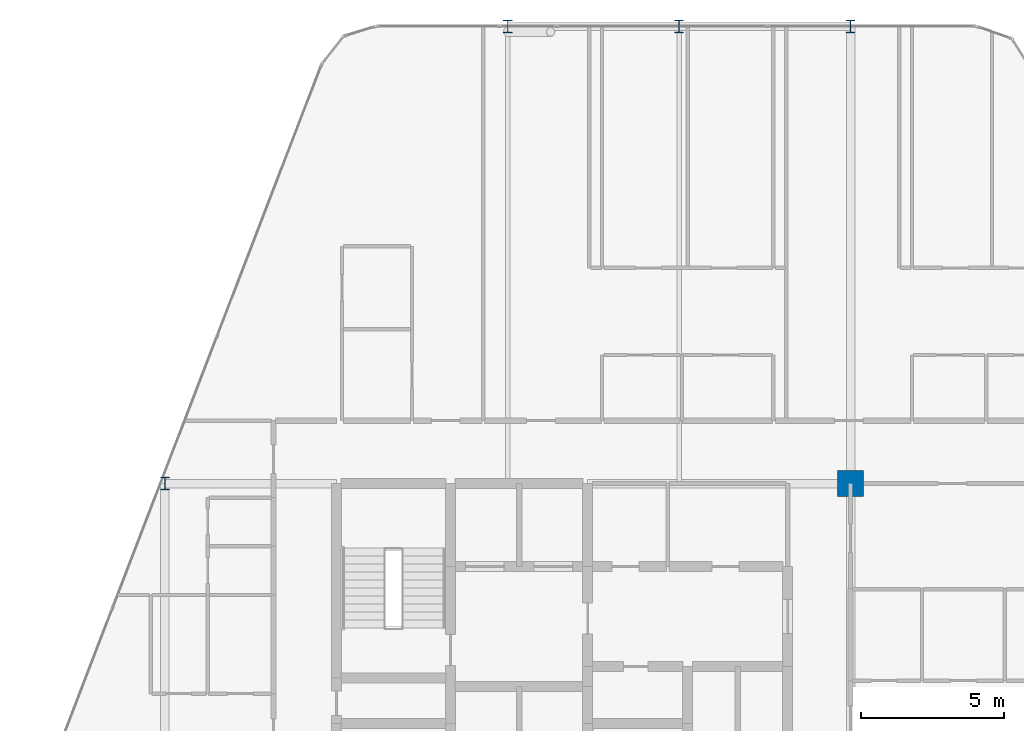
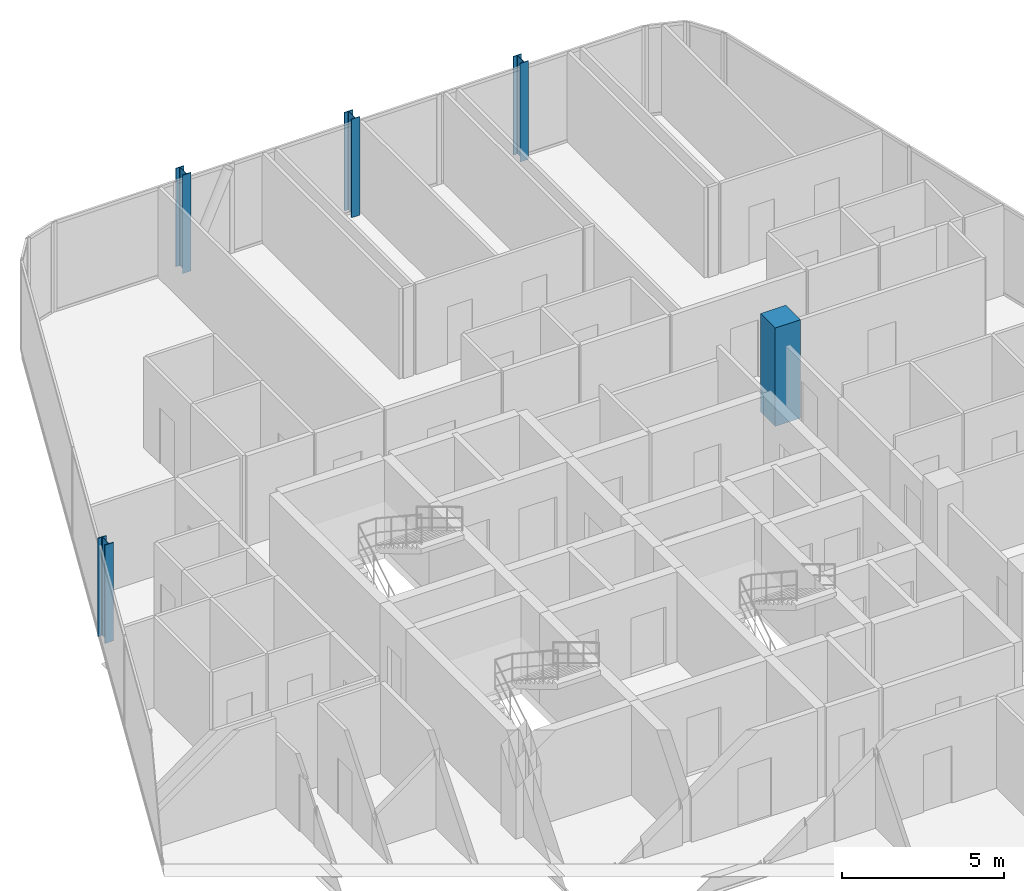
# One storey, part 3 of 29: 5 columns.
"""IFC4 building model written with IfcOpenShell, lengths in metres."""

from ifc_helpers import new_model, si_unit, direction, frame, origin, origin_2d, place, context, subcontext, project, spatial, rectangle, i_section, extrude, material, material_profile, profile_set, type_object, element, save


model = new_model("IFC4")

# Units and contexts
model_context = context("Model", 3, precision=1e-05, world=origin(), true_north=direction((0.0, 1.0)))
body_context = subcontext(model_context, "Body", "Model", "MODEL_VIEW")
ifc_project = project(units=[si_unit("LENGTHUNIT", "METRE"), si_unit("AREAUNIT", "SQUARE_METRE"), si_unit("VOLUMEUNIT", "CUBIC_METRE"), si_unit("PLANEANGLEUNIT", "RADIAN"), si_unit("MASSUNIT", "GRAM", prefix="KILO")], contexts=[model_context])

# Site, building, storey
site_placement = place(None, origin())
site = spatial("IfcSite", under=ifc_project, at=site_placement, CompositionType="ELEMENT")
building_placement = place(site_placement, origin())
building = spatial("IfcBuilding", under=site, at=building_placement, Name="Keshet Zoharim Tower", CompositionType="ELEMENT")
storey_placement = place(building_placement, frame((0.0, 0.0, 199.5)))
storey = spatial("IfcBuildingStorey", under=building, at=storey_placement, Name="L49", CompositionType="ELEMENT", Elevation=199.5)

# Columns
ifc_material_1 = material(Name="Steel S355", Category="steel")
ifc_material_profile_1 = material_profile(ifc_material_1, i_section(OverallWidth=0.300048828125, OverallDepth=0.449951171875, WebThickness=0.013916015625, FlangeThickness=0.02587890625, FilletRadius=0.027099609375, at=origin_2d()), Name="HEB450")
ifc_profile_set_1 = profile_set([ifc_material_profile_1], Name="Steel S355")
column_type_1 = type_object("IfcColumnType", Name="COL-HEB450", PredefinedType="COLUMN", material=ifc_profile_set_1)
for number, where, z_axis, x_axis, name in (
    (1, (9.0, 37.89990234375, 0.0), (0.0, 0.0, 1.0), (1.0, 0.0, 0.0), "L49 Column 2H"),
    (2, (21.0, 53.89990234375, 0.0), (0.0, 0.0, 1.0), (1.0, 0.0, 0.0), "L49 Column 4L"),
    (3, (27.0, 53.89990234375, 0.0), (0.0, 0.0, 1.0), (1.0, 0.0, 0.0), "L49 Column 5L"),
    (4, (33.0, 53.89990234375, 0.0), (0.0, 0.0, 1.0), (1.0, 0.0, 0.0), "L49 Column 6L"),
):
    element("IfcColumn", number, at=place(storey_placement, frame(where, z_axis=z_axis, x_axis=x_axis)), inside=storey, type_object=column_type_1, Name=name, PredefinedType="COLUMN", context=body_context, shape_type="SweptSolid", body=[
        extrude(i_section(OverallWidth=0.300048828125, OverallDepth=0.449951171875, WebThickness=0.013916015625, FlangeThickness=0.02587890625, FilletRadius=0.027099609375, at=origin_2d()), origin(), (0.0, 0.0, 1.0), 3.699951171875),
    ])
ifc_material_2 = material(Name="Concrete C60/75", Category="concrete")
ifc_material_profile_2 = material_profile(ifc_material_2, rectangle(XDim=0.89990234375, YDim=0.89990234375, at=origin_2d()), Name="RC900x900")
ifc_profile_set_2 = profile_set([ifc_material_profile_2], Name="Concrete C60/75")
column_type_2 = type_object("IfcColumnType", Name="COL-RC900", PredefinedType="COLUMN", material=ifc_profile_set_2)
column_placement = place(storey_placement, frame((33.0, 37.89990234375, 0.0), z_axis=(0.0, 0.0, 1.0), x_axis=(1.0, 0.0, 0.0)))
element("IfcColumn", 5, at=column_placement, inside=storey, type_object=column_type_2, Name="L49 Column 6H", PredefinedType="COLUMN", context=body_context, shape_type="SweptSolid", body=[
    extrude(rectangle(XDim=0.89990234375, YDim=0.89990234375, at=origin_2d()), origin(), (0.0, 0.0, 1.0), 3.699951171875),
])

save(model, "model.ifc")
